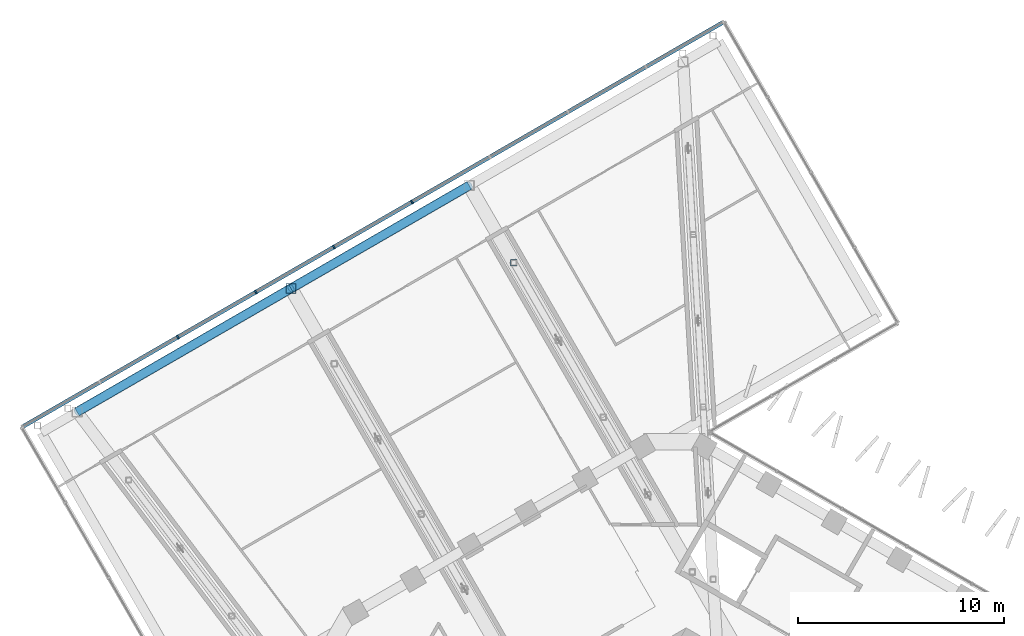
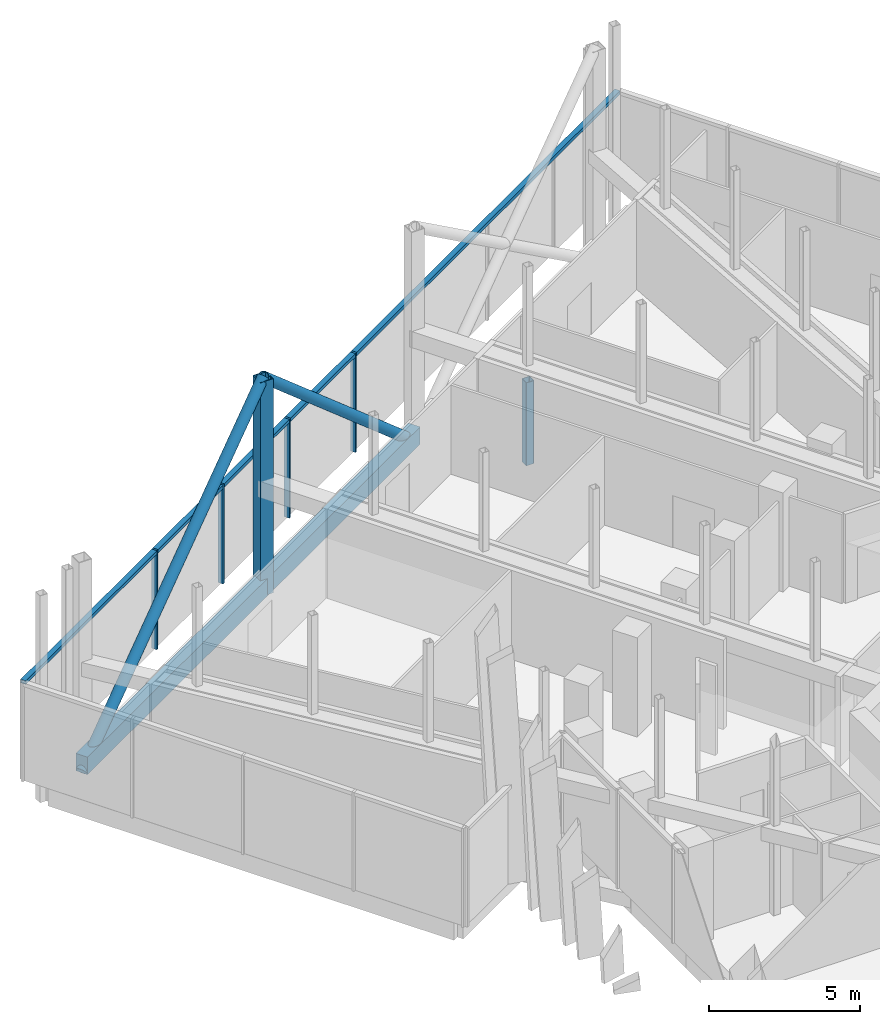
# One storey, part 7 of 29: 9 members, 2 beams, 1 element without a shape of its own.
"""IFC4 building model written with IfcOpenShell, lengths in metres."""

from ifc_helpers import new_model, si_unit, direction, frame, origin, origin_2d, place, context, subcontext, project, spatial, rectangle, hollow_rectangle, hollow_circle, extrude, material, layer, layer_set, material_profile, profile_set, type_object, element, aggregate, save


model = new_model("IFC4")

# Units and contexts
model_context = context("Model", 3, precision=1e-05, world=origin(), true_north=direction((0.0, 1.0)))
body_context = subcontext(model_context, "Body", "Model", "MODEL_VIEW")
ifc_project = project(units=[si_unit("LENGTHUNIT", "METRE"), si_unit("AREAUNIT", "SQUARE_METRE"), si_unit("VOLUMEUNIT", "CUBIC_METRE"), si_unit("PLANEANGLEUNIT", "RADIAN"), si_unit("MASSUNIT", "GRAM", prefix="KILO")], contexts=[model_context])

# Site, building, storey
site_placement = place(None, origin())
site = spatial("IfcSite", under=ifc_project, at=site_placement, CompositionType="ELEMENT")
building_placement = place(site_placement, origin())
building = spatial("IfcBuilding", under=site, at=building_placement, Name="Ayvan Gate Tower", CompositionType="ELEMENT")
storey_placement = place(building_placement, frame((0.0, 0.0, 186.699951171875)))
storey = spatial("IfcBuildingStorey", under=building, at=storey_placement, Name="L50", CompositionType="ELEMENT", Elevation=186.699951171875)

# Beams
ifc_material_1 = material(Name="Concrete C40/50", Category="concrete")
ifc_material_profile_1 = material_profile(ifc_material_1, rectangle(XDim=0.449951171875, YDim=0.699951171875, at=origin_2d()), Name="RC 450x700")
ifc_profile_set_1 = profile_set([ifc_material_profile_1], Name="Concrete C40/50")
beam_type = type_object("IfcBeamType", Name="Sky bar edge beam RC 450x700 C40/50", PredefinedType="BEAM", material=ifc_profile_set_1)
beam_1_placement = place(storey_placement, frame((-29.59716796875, 21.463623046875, -0.75), z_axis=(0.866026010844, 0.49999894854, 0.0), x_axis=(-0.49999894854, 0.866026010844, 0.0)))
element("IfcBeam", 1, at=beam_1_placement, inside=storey, type_object=beam_type, Name="EB-B4-L50-4", PredefinedType="BEAM", context=body_context, shape_type="SweptSolid", body=[
    extrude(rectangle(XDim=0.449951171875, YDim=0.699951171875, at=origin_2d()), origin(), (0.0, 0.0, 1.0), 12.0),
])
beam_2_placement = place(storey_placement, frame((-19.204833984375, 27.463623046875, -0.75), z_axis=(0.866029062534, 0.499993662806, 0.0), x_axis=(-0.499993662806, 0.866029062534, 0.0)))
element("IfcBeam", 2, at=beam_2_placement, inside=storey, type_object=beam_type, Name="EB-B4-L50-5", PredefinedType="BEAM", context=body_context, shape_type="SweptSolid", body=[
    extrude(rectangle(XDim=0.449951171875, YDim=0.699951171875, at=origin_2d()), origin(), (0.0, 0.0, 1.0), 10.000244140625),
])

# Members
ifc_material_2 = material(Name="Steel S460ML", Category="steel")
ifc_material_profile_2 = material_profile(ifc_material_2, hollow_rectangle(XDim=0.5, YDim=0.5, WallThickness=0.030029296875, at=origin_2d()), Name="BOX 500x500x30")
ifc_profile_set_2 = profile_set([ifc_material_profile_2], Name="Steel S460ML")
member_type_1 = type_object("IfcMemberType", Name="Sky bar end wall post BOX 500x500x30", PredefinedType="POST", material=ifc_profile_set_2)
member_1_placement = place(storey_placement, frame((-19.204833984375, 27.463623046875, -1.050048828125), z_axis=(0.0, 0.0, 1.0), x_axis=(1.0, 0.0, 0.0)))
element("IfcMember", 3, at=member_1_placement, inside=storey, type_object=member_type_1, Name="EXO-B4-P3", PredefinedType="POST", context=body_context, shape_type="SweptSolid", body=[
    extrude(hollow_rectangle(XDim=0.5, YDim=0.5, WallThickness=0.030029296875, at=origin_2d()), origin(), (0.0, 0.0, 1.0), 8.650146484375),
])
ifc_material_3 = material(Name="Steel S460NH", Category="steel")
ifc_material_profile_3 = material_profile(ifc_material_3, hollow_circle(Radius=0.203125, WallThickness=0.01611328125, at=origin_2d()), Name="CHS 406.4x16")
ifc_profile_set_3 = profile_set([ifc_material_profile_3], Name="Steel S460NH")
member_type_2 = type_object("IfcMemberType", Name="Sky bar exoskeleton brace CHS 406.4x16", PredefinedType="BRACE", material=ifc_profile_set_3)
member_2_placement = place(storey_placement, frame((-10.54443359375, 32.463623046875, -1.050048828125), z_axis=(-0.654987499368, -0.378150818568, 0.65421199476), x_axis=(0.499993662806, -0.866029062534, 0.0)))
element("IfcMember", 4, at=member_2_placement, inside=storey, type_object=member_type_2, Name="EXO-B4-D2A", PredefinedType="BRACE", context=body_context, shape_type="SweptSolid", body=[
    extrude(hollow_circle(Radius=0.203125, WallThickness=0.01611328125, at=origin_2d()), origin(), (0.0, 0.0, 1.0), 13.22216796875),
])
member_3_placement = place(storey_placement, frame((-29.596923828125, 21.463623046875, -1.050048828125), z_axis=(0.702520213567, 0.405608625866, 0.584762338178), x_axis=(-0.500007758305, 0.866020924479, 0.0)))
element("IfcMember", 5, at=member_3_placement, inside=storey, type_object=member_type_2, Name="EXO-B4-D3B", PredefinedType="BRACE", context=body_context, shape_type="SweptSolid", body=[
    extrude(hollow_circle(Radius=0.203125, WallThickness=0.01611328125, at=origin_2d()), origin(), (0.0, 0.0, 1.0), 14.79248046875),
])
ifc_material_profile_4 = material_profile(ifc_material_3, hollow_rectangle(XDim=0.300048828125, YDim=0.300048828125, WallThickness=0.01416015625, InnerFilletRadius=0.01416015625, OuterFilletRadius=0.021240234375, at=origin_2d()), Name="RHS 300x300x14.2")
ifc_profile_set_4 = profile_set([ifc_material_profile_4], Name="Steel S460NH")
member_type_3 = type_object("IfcMemberType", Name="Sky bar truss post B4 RHS 300x300x14.2", PredefinedType="POST", material=ifc_profile_set_4)
member_4_placement = place(storey_placement, frame((-8.3759765625, 28.707763671875, -0.39990234375), z_axis=(0.0, 0.0, 1.0), x_axis=(1.0, 0.0, 0.0)))
element("IfcMember", 6, at=member_4_placement, inside=storey, type_object=member_type_3, Name="SBT4-2-P-5", PredefinedType="POST", context=body_context, shape_type="SweptSolid", body=[
    extrude(hollow_rectangle(XDim=0.300048828125, YDim=0.300048828125, WallThickness=0.01416015625, InnerFilletRadius=0.01416015625, OuterFilletRadius=0.021240234375, at=origin_2d()), origin(), (0.0, 0.0, 1.0), 3.349853515625),
])

# Curtain wall, members
ifc_material_4 = material(Name="Bronze anodised aluminium", Category="aluminium")
ifc_layer = layer(ifc_material_4, 0.199951171875)
ifc_layer_set = layer_set([ifc_layer], Name="Bronze anodised aluminium")
curtain_wall_type = type_object("IfcCurtainWallType", Name="Stick curtain wall CW-4", PredefinedType="NOTDEFINED", material=ifc_layer_set)
curtain_wall_placement = place(storey_placement, origin())
curtain_wall = element("IfcCurtainWall", 7, at=curtain_wall_placement, inside=storey, type_object=curtain_wall_type, Name="Stick curtain wall CW-4 L50", PredefinedType="NOTDEFINED")
ifc_material_profile_5 = material_profile(ifc_material_4, rectangle(XDim=0.199951171875, YDim=0.080078125, at=origin_2d()), Name="Stick curtain wall CW-4 mullion 200 x 80")
ifc_profile_set_5 = profile_set([ifc_material_profile_5], Name="Bronze anodised aluminium")
member_type_4 = type_object("IfcMemberType", Name="Stick curtain wall CW-4 mullion 200 x 80", PredefinedType="MULLION", material=ifc_profile_set_5)
member_5_placement = place(storey_placement, frame((-13.3291015625, 31.664306640625, 0.0), z_axis=(0.0, 0.0, 1.0), x_axis=(-0.5, 0.866025403784, 0.0)))
member_5 = element("IfcMember", 8, at=member_5_placement, type_object=member_type_4, Name="CW-4 mullion 5", PredefinedType="MULLION", context=body_context, shape_type="SweptSolid", body=[
    extrude(rectangle(XDim=0.199951171875, YDim=0.080078125, at=origin_2d()), origin(), (0.0, 0.0, 1.0), 4.0),
])
member_6_placement = place(storey_placement, frame((-17.120361328125, 29.475341796875, 0.0), z_axis=(0.0, 0.0, 1.0), x_axis=(-0.5, 0.866025403784, 0.0)))
member_6 = element("IfcMember", 9, at=member_6_placement, type_object=member_type_4, Name="CW-4 mullion 6", PredefinedType="MULLION", context=body_context, shape_type="SweptSolid", body=[
    extrude(rectangle(XDim=0.199951171875, YDim=0.080078125, at=origin_2d()), origin(), (0.0, 0.0, 1.0), 4.0),
])
member_7_placement = place(storey_placement, frame((-20.91162109375, 27.286376953125, 0.0), z_axis=(0.0, 0.0, 1.0), x_axis=(-0.5, 0.866025403784, 0.0)))
member_7 = element("IfcMember", 10, at=member_7_placement, type_object=member_type_4, Name="CW-4 mullion 7", PredefinedType="MULLION", context=body_context, shape_type="SweptSolid", body=[
    extrude(rectangle(XDim=0.199951171875, YDim=0.080078125, at=origin_2d()), origin(), (0.0, 0.0, 1.0), 4.0),
])
member_8_placement = place(storey_placement, frame((-24.702880859375, 25.09765625, 0.0), z_axis=(0.0, 0.0, 1.0), x_axis=(-0.5, 0.866025403784, 0.0)))
member_8 = element("IfcMember", 11, at=member_8_placement, type_object=member_type_4, Name="CW-4 mullion 8", PredefinedType="MULLION", context=body_context, shape_type="SweptSolid", body=[
    extrude(rectangle(XDim=0.199951171875, YDim=0.080078125, at=origin_2d()), origin(), (0.0, 0.0, 1.0), 4.0),
])
ifc_material_profile_6 = material_profile(ifc_material_4, rectangle(XDim=0.199951171875, YDim=0.139892578125, at=origin_2d()), Name="Stick curtain wall CW-4 transom 200 x 140")
ifc_profile_set_6 = profile_set([ifc_material_profile_6], Name="Bronze anodised aluminium")
member_type_5 = type_object("IfcMemberType", Name="Stick curtain wall CW-4 transom 200 x 140", PredefinedType="USERDEFINED", material=ifc_profile_set_6)
member_9_placement = place(storey_placement, frame((1.801513671875, 40.39990234375, 3.929931640625), z_axis=(-0.866024491936, -0.500001579365, 0.0), x_axis=(0.500001579365, -0.866024491936, 0.0)))
member_9 = element("IfcMember", 12, at=member_9_placement, type_object=member_type_5, Name="CW-4 transom 1", ObjectType="TRANSOM", PredefinedType="USERDEFINED", context=body_context, shape_type="SweptSolid", body=[
    extrude(rectangle(XDim=0.199951171875, YDim=0.139892578125, at=origin_2d()), origin(), (0.0, 0.0, 1.0), 39.320068359375),
])
aggregate(curtain_wall, [member_5, member_6, member_7, member_8, member_9])

save(model, "model.ifc")
